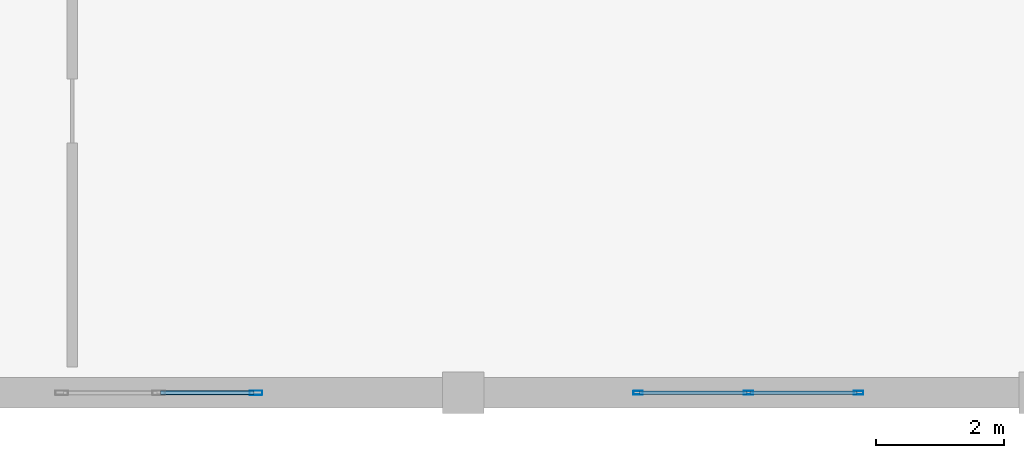
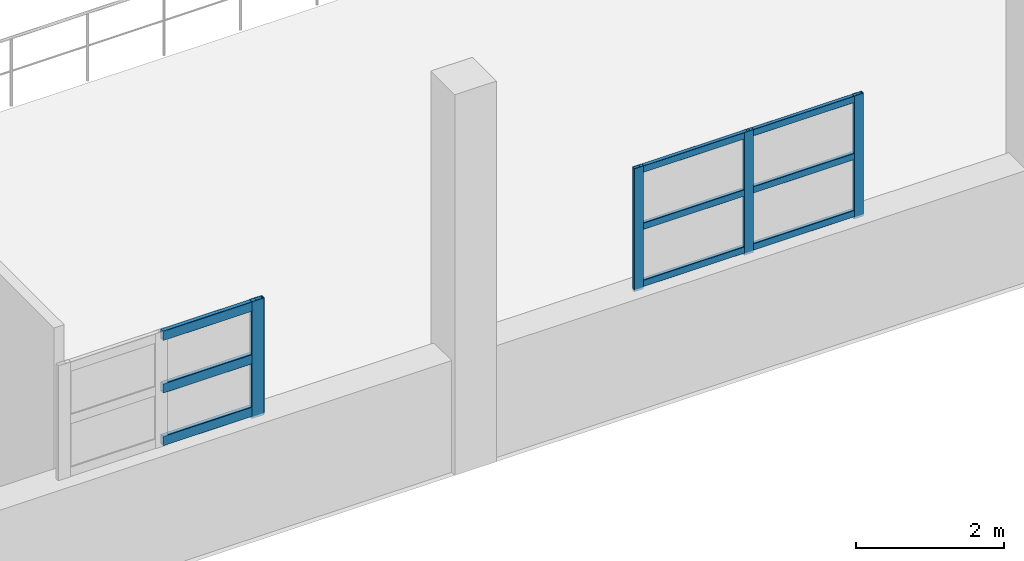
# One storey, part 12 of 197: 13 members, 2 elements without a shape of their own.
"""IFC4 building model written with IfcOpenShell, lengths in metres."""

from ifc_helpers import new_model, si_unit, derived_unit, direction, frame, origin, origin_2d, place, context, subcontext, project, spatial, hollow_rectangle, extrude, material, layer, layer_set, material_profile, profile_set, type_object, element, aggregate, save


model = new_model("IFC4")

# Units and contexts
model_context = context("Model", 3, precision=1e-05, world=origin(), true_north=direction((0.0, 1.0)))
body_context = subcontext(model_context, "Body", "Model", "MODEL_VIEW")
ifc_project = project(units=[si_unit("LENGTHUNIT", "METRE"), si_unit("AREAUNIT", "SQUARE_METRE"), si_unit("VOLUMEUNIT", "CUBIC_METRE"), si_unit("PLANEANGLEUNIT", "RADIAN"), si_unit("MASSUNIT", "GRAM", prefix="KILO"), derived_unit("THERMALTRANSMITTANCEUNIT", [(si_unit("POWERUNIT", "WATT"), 1), (si_unit("LENGTHUNIT", "METRE"), -2), (si_unit("THERMODYNAMICTEMPERATUREUNIT", "KELVIN"), -1)])], contexts=[model_context])

# Site, building, storey
site_placement = place(None, origin())
site = spatial("IfcSite", under=ifc_project, at=site_placement, CompositionType="ELEMENT")
building_placement = place(site_placement, origin())
building = spatial("IfcBuilding", under=site, at=building_placement, Name="Almenara Railside Exhibition Hall", CompositionType="ELEMENT")
storey_placement = place(building_placement, frame((0.0, 0.0, 5.39990234375)))
storey = spatial("IfcBuildingStorey", under=building, at=storey_placement, Name="L01", CompositionType="ELEMENT", Elevation=5.39990234375)

# Curtain wall, members
ifc_material_1 = material(Name="Bronze-anodised aluminium and low-E double glazing", Category="aluminium")
ifc_layer_1 = layer(ifc_material_1, 0.179931640625, Name="Bronze-anodised aluminium and low-E double glazing")
ifc_layer_set_1 = layer_set([ifc_layer_1], Name="Bronze-anodised aluminium and low-E double glazing")
curtain_wall_type_1 = type_object("IfcCurtainWallType", Name="Plenary Clerestory Curtain Wall 3500x2000", PredefinedType="NOTDEFINED", material=ifc_layer_set_1)
curtain_wall_1_placement = place(storey_placement, origin())
curtain_wall_1 = element("IfcCurtainWall", 1, at=curtain_wall_1_placement, inside=storey, type_object=curtain_wall_type_1, Name="Curtain wall CW-CL5-097", PredefinedType="NOTDEFINED")
ifc_material_2 = material(Name="Bronze-anodised aluminium", Category="aluminium")
ifc_material_profile_1 = material_profile(ifc_material_2, hollow_rectangle(XDim=0.06005859375, YDim=0.14990234375, WallThickness=0.00341796875, InnerFilletRadius=0.00341796875, OuterFilletRadius=0.007080078125, at=origin_2d()), Name="ALU-MUL 60x150x3.5")
ifc_profile_set_1 = profile_set([ifc_material_profile_1], Name="Bronze-anodised aluminium")
member_type_1 = type_object("IfcMemberType", Name="Curtain Wall Mullion 60x150x3.5", PredefinedType="MULLION", material=ifc_profile_set_1)
member_1_placement = place(storey_placement, frame((23.72998046875, 0.0, 1.815185546875), z_axis=(0.0, 0.0, 1.0), x_axis=(0.0, 1.0, 0.0)))
member_1 = element("IfcMember", 2, at=member_1_placement, type_object=member_type_1, Name="CW-CL5-097 mullion 1", PredefinedType="MULLION", context=body_context, shape_type="SweptSolid", body=[
    extrude(hollow_rectangle(XDim=0.06005859375, YDim=0.14990234375, WallThickness=0.00341796875, InnerFilletRadius=0.00341796875, OuterFilletRadius=0.007080078125, at=origin_2d()), origin(), (0.0, 0.0, 1.0), 2.034912109375),
])
member_2_placement = place(storey_placement, frame((25.449951171875, 0.0, 1.815185546875), z_axis=(0.0, 0.0, 1.0), x_axis=(0.0, 1.0, 0.0)))
member_2 = element("IfcMember", 3, at=member_2_placement, type_object=member_type_1, Name="CW-CL5-097 mullion 2", PredefinedType="MULLION", context=body_context, shape_type="SweptSolid", body=[
    extrude(hollow_rectangle(XDim=0.06005859375, YDim=0.14990234375, WallThickness=0.00341796875, InnerFilletRadius=0.00341796875, OuterFilletRadius=0.007080078125, at=origin_2d()), origin(), (0.0, 0.0, 1.0), 2.034912109375),
])
member_3_placement = place(storey_placement, frame((27.169921875, 0.0, 1.815185546875), z_axis=(0.0, 0.0, 1.0), x_axis=(0.0, 1.0, 0.0)))
member_3 = element("IfcMember", 4, at=member_3_placement, type_object=member_type_1, Name="CW-CL5-097 mullion 3", PredefinedType="MULLION", context=body_context, shape_type="SweptSolid", body=[
    extrude(hollow_rectangle(XDim=0.06005859375, YDim=0.14990234375, WallThickness=0.00341796875, InnerFilletRadius=0.00341796875, OuterFilletRadius=0.007080078125, at=origin_2d()), origin(), (0.0, 0.0, 1.0), 2.034912109375),
])

# Curtain wall, member
ifc_layer_2 = layer(ifc_material_1, 0.179931640625, Name="Bronze-anodised aluminium and low-E double glazing")
ifc_layer_set_2 = layer_set([ifc_layer_2], Name="Bronze-anodised aluminium and low-E double glazing")
curtain_wall_type_2 = type_object("IfcCurtainWallType", Name="Plenary Clerestory Curtain Wall 3100x1900", PredefinedType="NOTDEFINED", material=ifc_layer_set_2)
curtain_wall_2_placement = place(storey_placement, origin())
curtain_wall_2 = element("IfcCurtainWall", 5, at=curtain_wall_2_placement, inside=storey, type_object=curtain_wall_type_2, Name="Curtain wall CW-CL6-095", PredefinedType="NOTDEFINED")
ifc_material_profile_2 = material_profile(ifc_material_2, hollow_rectangle(XDim=0.070068359375, YDim=0.199951171875, WallThickness=0.00439453125, InnerFilletRadius=0.00439453125, OuterFilletRadius=0.009033203125, at=origin_2d()), Name="ALU-MUL 70x200x4.5")
ifc_profile_set_2 = profile_set([ifc_material_profile_2], Name="Bronze-anodised aluminium")
member_type_2 = type_object("IfcMemberType", Name="Curtain Wall Mullion 70x200x4.5", PredefinedType="MULLION", material=ifc_profile_set_2)
member_4_placement = place(storey_placement, frame((17.764892578125, 0.0, 1.815185546875), z_axis=(0.0, 0.0, 1.0), x_axis=(0.0, 1.0, 0.0)))
member_4 = element("IfcMember", 6, at=member_4_placement, type_object=member_type_2, Name="CW-CL6-095 mullion 3", PredefinedType="MULLION", context=body_context, shape_type="SweptSolid", body=[
    extrude(hollow_rectangle(XDim=0.070068359375, YDim=0.199951171875, WallThickness=0.00439453125, InnerFilletRadius=0.00439453125, OuterFilletRadius=0.009033203125, at=origin_2d()), origin(), (0.0, 0.0, 1.0), 1.934814453125),
])

# Member
ifc_material_profile_3 = material_profile(ifc_material_2, hollow_rectangle(XDim=0.06005859375, YDim=0.110107421875, WallThickness=0.0029296875, InnerFilletRadius=0.0029296875, OuterFilletRadius=0.006103515625, at=origin_2d()), Name="ALU-TRN 60x110x3")
ifc_profile_set_3 = profile_set([ifc_material_profile_3], Name="Bronze-anodised aluminium")
member_type_3 = type_object("IfcMemberType", Name="Curtain Wall Transom 60x110x3", PredefinedType="USERDEFINED", material=ifc_profile_set_3)
member_5_placement = place(storey_placement, frame((23.751953125, 0.0, 1.905029296875), z_axis=(1.0, 0.0, 0.0), x_axis=(0.0, 1.0, 0.0)))
member_5 = element("IfcMember", 7, at=member_5_placement, type_object=member_type_3, Name="CW-CL5-097 transom 1.1", ObjectType="TRANSOM", PredefinedType="USERDEFINED", context=body_context, shape_type="SweptSolid", body=[
    extrude(hollow_rectangle(XDim=0.06005859375, YDim=0.110107421875, WallThickness=0.0029296875, InnerFilletRadius=0.0029296875, OuterFilletRadius=0.006103515625, at=origin_2d()), origin(), (0.0, 0.0, 1.0), 1.676025390625),
])

member_6_placement = place(storey_placement, frame((23.751953125, 0.0, 2.85009765625), z_axis=(1.0, 0.0, 0.0), x_axis=(0.0, 1.0, 0.0)))
member_6 = element("IfcMember", 8, at=member_6_placement, type_object=member_type_3, Name="CW-CL5-097 transom 1.2", ObjectType="TRANSOM", PredefinedType="USERDEFINED", context=body_context, shape_type="SweptSolid", body=[
    extrude(hollow_rectangle(XDim=0.06005859375, YDim=0.110107421875, WallThickness=0.0029296875, InnerFilletRadius=0.0029296875, OuterFilletRadius=0.006103515625, at=origin_2d()), origin(), (0.0, 0.0, 1.0), 1.676025390625),
])

member_7_placement = place(storey_placement, frame((23.751953125, 0.0, 3.795166015625), z_axis=(1.0, 0.0, 0.0), x_axis=(0.0, 1.0, 0.0)))
member_7 = element("IfcMember", 9, at=member_7_placement, type_object=member_type_3, Name="CW-CL5-097 transom 1.3", ObjectType="TRANSOM", PredefinedType="USERDEFINED", context=body_context, shape_type="SweptSolid", body=[
    extrude(hollow_rectangle(XDim=0.06005859375, YDim=0.110107421875, WallThickness=0.0029296875, InnerFilletRadius=0.0029296875, OuterFilletRadius=0.006103515625, at=origin_2d()), origin(), (0.0, 0.0, 1.0), 1.676025390625),
])

member_8_placement = place(storey_placement, frame((25.471923828125, 0.0, 1.905029296875), z_axis=(1.0, 0.0, 0.0), x_axis=(0.0, 1.0, 0.0)))
member_8 = element("IfcMember", 10, at=member_8_placement, type_object=member_type_3, Name="CW-CL5-097 transom 2.1", ObjectType="TRANSOM", PredefinedType="USERDEFINED", context=body_context, shape_type="SweptSolid", body=[
    extrude(hollow_rectangle(XDim=0.06005859375, YDim=0.110107421875, WallThickness=0.0029296875, InnerFilletRadius=0.0029296875, OuterFilletRadius=0.006103515625, at=origin_2d()), origin(), (0.0, 0.0, 1.0), 1.676025390625),
])

member_9_placement = place(storey_placement, frame((25.471923828125, 0.0, 2.85009765625), z_axis=(1.0, 0.0, 0.0), x_axis=(0.0, 1.0, 0.0)))
member_9 = element("IfcMember", 11, at=member_9_placement, type_object=member_type_3, Name="CW-CL5-097 transom 2.2", ObjectType="TRANSOM", PredefinedType="USERDEFINED", context=body_context, shape_type="SweptSolid", body=[
    extrude(hollow_rectangle(XDim=0.06005859375, YDim=0.110107421875, WallThickness=0.0029296875, InnerFilletRadius=0.0029296875, OuterFilletRadius=0.006103515625, at=origin_2d()), origin(), (0.0, 0.0, 1.0), 1.676025390625),
])

member_10_placement = place(storey_placement, frame((25.471923828125, 0.0, 3.795166015625), z_axis=(1.0, 0.0, 0.0), x_axis=(0.0, 1.0, 0.0)))
member_10 = element("IfcMember", 12, at=member_10_placement, type_object=member_type_3, Name="CW-CL5-097 transom 2.3", ObjectType="TRANSOM", PredefinedType="USERDEFINED", context=body_context, shape_type="SweptSolid", body=[
    extrude(hollow_rectangle(XDim=0.06005859375, YDim=0.110107421875, WallThickness=0.0029296875, InnerFilletRadius=0.0029296875, OuterFilletRadius=0.006103515625, at=origin_2d()), origin(), (0.0, 0.0, 1.0), 1.676025390625),
])

aggregate(curtain_wall_1, [member_1, member_2, member_3, member_5, member_6, member_7, member_8, member_9, member_10])

ifc_material_profile_4 = material_profile(ifc_material_2, hollow_rectangle(XDim=0.070068359375, YDim=0.159912109375, WallThickness=0.00390625, InnerFilletRadius=0.00390625, OuterFilletRadius=0.008056640625, at=origin_2d()), Name="ALU-TRN 70x160x4")
ifc_profile_set_4 = profile_set([ifc_material_profile_4], Name="Bronze-anodised aluminium")
member_type_4 = type_object("IfcMemberType", Name="Curtain Wall Transom 70x160x4", PredefinedType="USERDEFINED", material=ifc_profile_set_4)
member_11_placement = place(storey_placement, frame((16.277099609375, 0.0, 1.93017578125), z_axis=(1.0, 0.0, 0.0), x_axis=(0.0, 1.0, 0.0)))
member_11 = element("IfcMember", 13, at=member_11_placement, type_object=member_type_4, Name="CW-CL6-095 transom 2.1", ObjectType="TRANSOM", PredefinedType="USERDEFINED", context=body_context, shape_type="SweptSolid", body=[
    extrude(hollow_rectangle(XDim=0.070068359375, YDim=0.159912109375, WallThickness=0.00390625, InnerFilletRadius=0.00390625, OuterFilletRadius=0.008056640625, at=origin_2d()), origin(), (0.0, 0.0, 1.0), 1.4609375),
])

member_12_placement = place(storey_placement, frame((16.277099609375, 0.0, 2.800048828125), z_axis=(1.0, 0.0, 0.0), x_axis=(0.0, 1.0, 0.0)))
member_12 = element("IfcMember", 14, at=member_12_placement, type_object=member_type_4, Name="CW-CL6-095 transom 2.2", ObjectType="TRANSOM", PredefinedType="USERDEFINED", context=body_context, shape_type="SweptSolid", body=[
    extrude(hollow_rectangle(XDim=0.070068359375, YDim=0.159912109375, WallThickness=0.00390625, InnerFilletRadius=0.00390625, OuterFilletRadius=0.008056640625, at=origin_2d()), origin(), (0.0, 0.0, 1.0), 1.4609375),
])

member_13_placement = place(storey_placement, frame((16.277099609375, 0.0, 3.670166015625), z_axis=(1.0, 0.0, 0.0), x_axis=(0.0, 1.0, 0.0)))
member_13 = element("IfcMember", 15, at=member_13_placement, type_object=member_type_4, Name="CW-CL6-095 transom 2.3", ObjectType="TRANSOM", PredefinedType="USERDEFINED", context=body_context, shape_type="SweptSolid", body=[
    extrude(hollow_rectangle(XDim=0.070068359375, YDim=0.159912109375, WallThickness=0.00390625, InnerFilletRadius=0.00390625, OuterFilletRadius=0.008056640625, at=origin_2d()), origin(), (0.0, 0.0, 1.0), 1.4609375),
])

aggregate(curtain_wall_2, [member_4, member_11, member_12, member_13])

save(model, "model.ifc")
